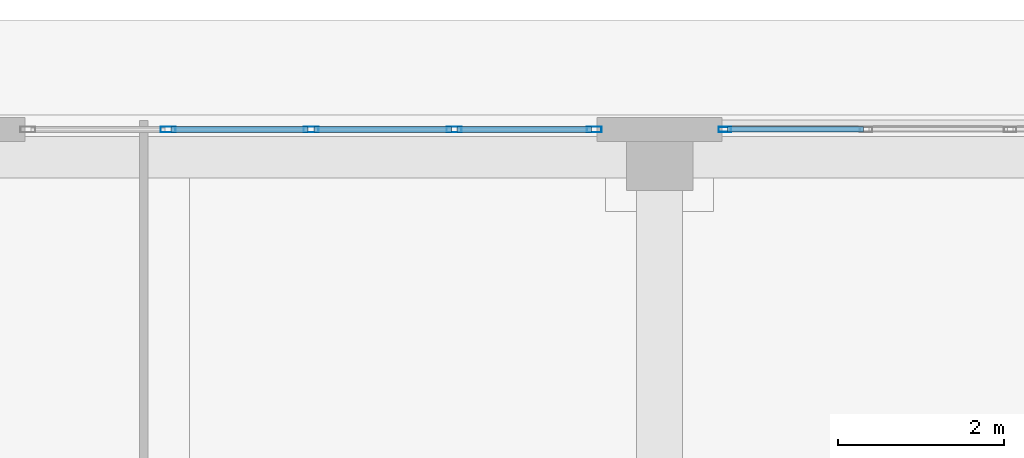
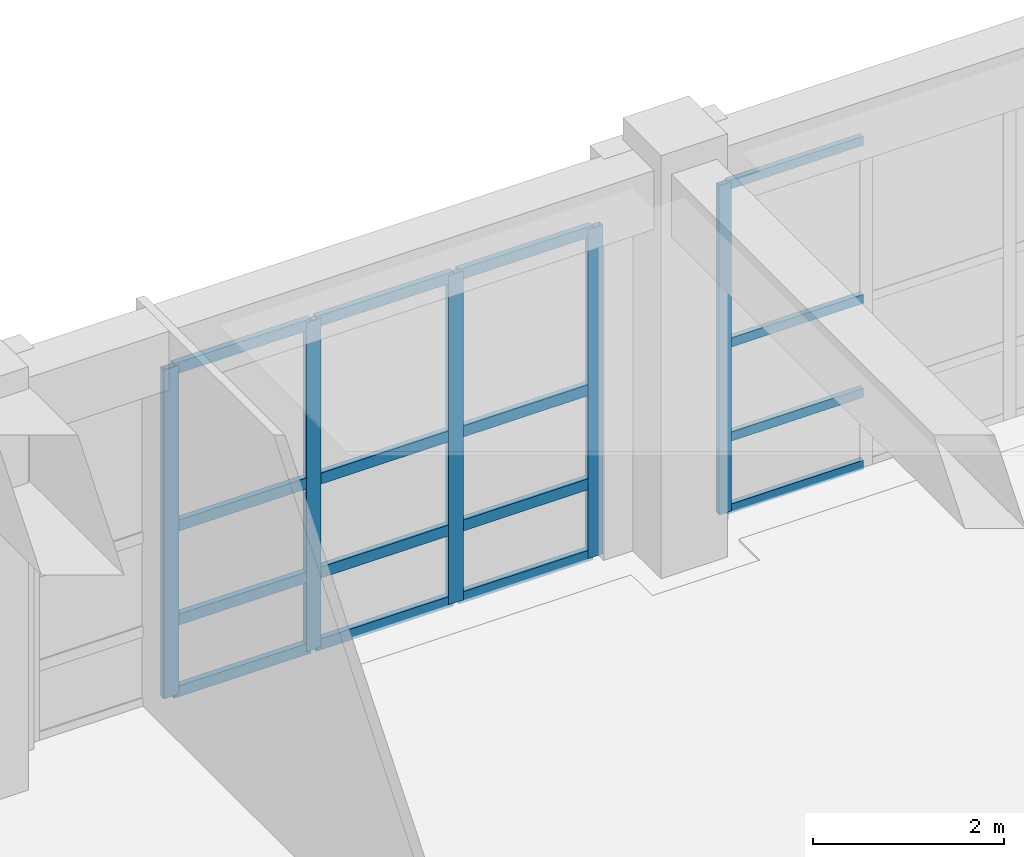
# One storey, part 103 of 148: 21 members, 2 elements without a shape of their own.
"""IFC4 building model written with IfcOpenShell, lengths in metres."""

from ifc_helpers import new_model, si_unit, direction, frame, origin, origin_2d, place, context, subcontext, project, spatial, hollow_rectangle, extrude, material, layer, layer_set, material_profile, profile_set, type_object, element, aggregate, save


model = new_model("IFC4")

# Units and contexts
model_context = context("Model", 3, precision=1e-05, world=origin(), true_north=direction((0.0, 1.0)))
body_context = subcontext(model_context, "Body", "Model", "MODEL_VIEW")
ifc_project = project(units=[si_unit("LENGTHUNIT", "METRE"), si_unit("AREAUNIT", "SQUARE_METRE"), si_unit("VOLUMEUNIT", "CUBIC_METRE"), si_unit("PLANEANGLEUNIT", "RADIAN"), si_unit("MASSUNIT", "GRAM", prefix="KILO")], contexts=[model_context])

# Site, building, storey
site_placement = place(None, origin())
site = spatial("IfcSite", under=ifc_project, at=site_placement, CompositionType="ELEMENT")
building_placement = place(site_placement, origin())
building = spatial("IfcBuilding", under=site, at=building_placement, Name="Quendrovan Civic Courthouse", CompositionType="ELEMENT")
storey_placement = place(building_placement, origin())
storey = spatial("IfcBuildingStorey", under=building, at=storey_placement, Name="L01", CompositionType="ELEMENT", Elevation=0.0)

# Curtain wall, members
ifc_material_1 = material(Name="Bronze anodised aluminium and low-E glass", Category="aluminium")
ifc_layer = layer(ifc_material_1, 0.179931640625, Name="Bronze anodised aluminium and low-E glass")
ifc_layer_set = layer_set([ifc_layer], Name="Bronze anodised aluminium and low-E glass")
curtain_wall_type = type_object("IfcCurtainWallType", Name="CW-U69x42", PredefinedType="USERDEFINED", material=ifc_layer_set)
curtain_wall_1_placement = place(storey_placement, origin())
curtain_wall_1 = element("IfcCurtainWall", 1, at=curtain_wall_1_placement, inside=storey, type_object=curtain_wall_type, Name="L01 Unitised Hurricane Curtain Wall CW-038", ObjectType="UNITISED CURTAIN WALL", PredefinedType="USERDEFINED")
ifc_material_2 = material(Name="Bronze anodised aluminium", Category="aluminium")
ifc_material_profile_1 = material_profile(ifc_material_2, hollow_rectangle(XDim=0.070068359375, YDim=0.179931640625, WallThickness=0.00390625, at=origin_2d()), Name="CW-MULL-70x180")
ifc_profile_set_1 = profile_set([ifc_material_profile_1], Name="Bronze anodised aluminium")
member_type_1 = type_object("IfcMemberType", Name="CW-MULL-A", PredefinedType="MULLION", material=ifc_profile_set_1)
member_1_placement = place(storey_placement, frame((128.49365234375, 110.235107421875, 0.0), z_axis=(0.0, 0.0, 1.0), x_axis=(0.0, 1.0, 0.0)))
member_1 = element("IfcMember", 2, at=member_1_placement, type_object=member_type_1, Name="CW-038 mullion 2", PredefinedType="MULLION", context=body_context, shape_type="SweptSolid", body=[
    extrude(hollow_rectangle(XDim=0.070068359375, YDim=0.179931640625, WallThickness=0.00390625, at=origin_2d()), origin(), (0.0, 0.0, 1.0), 4.199951171875),
])
member_2_placement = place(storey_placement, frame((130.21240234375, 110.235107421875, 0.0), z_axis=(0.0, 0.0, 1.0), x_axis=(0.0, 1.0, 0.0)))
member_2 = element("IfcMember", 3, at=member_2_placement, type_object=member_type_1, Name="CW-038 mullion 3", PredefinedType="MULLION", context=body_context, shape_type="SweptSolid", body=[
    extrude(hollow_rectangle(XDim=0.070068359375, YDim=0.179931640625, WallThickness=0.00390625, at=origin_2d()), origin(), (0.0, 0.0, 1.0), 4.199951171875),
])
member_3_placement = place(storey_placement, frame((131.93115234375, 110.235107421875, 0.0), z_axis=(0.0, 0.0, 1.0), x_axis=(0.0, 1.0, 0.0)))
member_3 = element("IfcMember", 4, at=member_3_placement, type_object=member_type_1, Name="CW-038 mullion 4", PredefinedType="MULLION", context=body_context, shape_type="SweptSolid", body=[
    extrude(hollow_rectangle(XDim=0.070068359375, YDim=0.179931640625, WallThickness=0.00390625, at=origin_2d()), origin(), (0.0, 0.0, 1.0), 4.199951171875),
])
member_4_placement = place(storey_placement, frame((133.614990234375, 110.235107421875, 0.0), z_axis=(0.0, 0.0, 1.0), x_axis=(0.0, 1.0, 0.0)))
member_4 = element("IfcMember", 5, at=member_4_placement, type_object=member_type_1, Name="CW-038 mullion 5", PredefinedType="MULLION", context=body_context, shape_type="SweptSolid", body=[
    extrude(hollow_rectangle(XDim=0.070068359375, YDim=0.179931640625, WallThickness=0.00390625, at=origin_2d()), origin(), (0.0, 0.0, 1.0), 4.199951171875),
])

# Curtain wall, member
curtain_wall_2_placement = place(storey_placement, origin())
curtain_wall_2 = element("IfcCurtainWall", 6, at=curtain_wall_2_placement, inside=storey, type_object=curtain_wall_type, Name="L01 Unitised Hurricane Curtain Wall CW-039", ObjectType="UNITISED CURTAIN WALL", PredefinedType="USERDEFINED")
ifc_material_profile_2 = material_profile(ifc_material_2, hollow_rectangle(XDim=0.06494140625, YDim=0.14990234375, WallThickness=0.00390625, at=origin_2d()), Name="CW-MULL-65x150")
ifc_profile_set_2 = profile_set([ifc_material_profile_2], Name="Bronze anodised aluminium")
member_type_2 = type_object("IfcMemberType", Name="CW-MULL-B", PredefinedType="MULLION", material=ifc_profile_set_2)
member_5_placement = place(storey_placement, frame((135.1826171875, 110.235107421875, 0.0), z_axis=(0.0, 0.0, 1.0), x_axis=(0.0, 1.0, 0.0)))
member_5 = element("IfcMember", 7, at=member_5_placement, type_object=member_type_2, Name="CW-039 mullion 1", PredefinedType="MULLION", context=body_context, shape_type="SweptSolid", body=[
    extrude(hollow_rectangle(XDim=0.06494140625, YDim=0.14990234375, WallThickness=0.00390625, at=origin_2d()), origin(), (0.0, 0.0, 1.0), 4.199951171875),
])

# Member
ifc_material_profile_3 = material_profile(ifc_material_2, hollow_rectangle(XDim=0.070068359375, YDim=0.139892578125, WallThickness=0.00390625, at=origin_2d()), Name="CW-TRAN-70x140")
ifc_profile_set_3 = profile_set([ifc_material_profile_3], Name="Bronze anodised aluminium")
member_type_3 = type_object("IfcMemberType", Name="CW-TRAN-A", PredefinedType="USERDEFINED", material=ifc_profile_set_3)
member_6_placement = place(storey_placement, frame((128.52880859375, 110.235107421875, 0.034912109375), z_axis=(1.0, 0.0, 0.0), x_axis=(0.0, 1.0, 0.0)))
member_6 = element("IfcMember", 8, at=member_6_placement, type_object=member_type_3, Name="CW-038 transom 2.1", ObjectType="TRANSOM", PredefinedType="USERDEFINED", context=body_context, shape_type="SweptSolid", body=[
    extrude(hollow_rectangle(XDim=0.070068359375, YDim=0.139892578125, WallThickness=0.00390625, at=origin_2d()), origin(), (0.0, 0.0, 1.0), 1.648681640625),
])

member_7_placement = place(storey_placement, frame((128.52880859375, 110.235107421875, 0.949951171875), z_axis=(1.0, 0.0, 0.0), x_axis=(0.0, 1.0, 0.0)))
member_7 = element("IfcMember", 9, at=member_7_placement, type_object=member_type_3, Name="CW-038 transom 2.2", ObjectType="TRANSOM", PredefinedType="USERDEFINED", context=body_context, shape_type="SweptSolid", body=[
    extrude(hollow_rectangle(XDim=0.070068359375, YDim=0.139892578125, WallThickness=0.00390625, at=origin_2d()), origin(), (0.0, 0.0, 1.0), 1.648681640625),
])

member_8_placement = place(storey_placement, frame((128.52880859375, 110.235107421875, 2.14990234375), z_axis=(1.0, 0.0, 0.0), x_axis=(0.0, 1.0, 0.0)))
member_8 = element("IfcMember", 10, at=member_8_placement, type_object=member_type_3, Name="CW-038 transom 2.3", ObjectType="TRANSOM", PredefinedType="USERDEFINED", context=body_context, shape_type="SweptSolid", body=[
    extrude(hollow_rectangle(XDim=0.070068359375, YDim=0.139892578125, WallThickness=0.00390625, at=origin_2d()), origin(), (0.0, 0.0, 1.0), 1.648681640625),
])

member_9_placement = place(storey_placement, frame((128.52880859375, 110.235107421875, 4.1650390625), z_axis=(1.0, 0.0, 0.0), x_axis=(0.0, 1.0, 0.0)))
member_9 = element("IfcMember", 11, at=member_9_placement, type_object=member_type_3, Name="CW-038 transom 2.4", ObjectType="TRANSOM", PredefinedType="USERDEFINED", context=body_context, shape_type="SweptSolid", body=[
    extrude(hollow_rectangle(XDim=0.070068359375, YDim=0.139892578125, WallThickness=0.00390625, at=origin_2d()), origin(), (0.0, 0.0, 1.0), 1.648681640625),
])

member_10_placement = place(storey_placement, frame((130.24755859375, 110.235107421875, 0.034912109375), z_axis=(1.0, 0.0, 0.0), x_axis=(0.0, 1.0, 0.0)))
member_10 = element("IfcMember", 12, at=member_10_placement, type_object=member_type_3, Name="CW-038 transom 3.1", ObjectType="TRANSOM", PredefinedType="USERDEFINED", context=body_context, shape_type="SweptSolid", body=[
    extrude(hollow_rectangle(XDim=0.070068359375, YDim=0.139892578125, WallThickness=0.00390625, at=origin_2d()), origin(), (0.0, 0.0, 1.0), 1.648681640625),
])

member_11_placement = place(storey_placement, frame((130.24755859375, 110.235107421875, 0.949951171875), z_axis=(1.0, 0.0, 0.0), x_axis=(0.0, 1.0, 0.0)))
member_11 = element("IfcMember", 13, at=member_11_placement, type_object=member_type_3, Name="CW-038 transom 3.2", ObjectType="TRANSOM", PredefinedType="USERDEFINED", context=body_context, shape_type="SweptSolid", body=[
    extrude(hollow_rectangle(XDim=0.070068359375, YDim=0.139892578125, WallThickness=0.00390625, at=origin_2d()), origin(), (0.0, 0.0, 1.0), 1.648681640625),
])

member_12_placement = place(storey_placement, frame((130.24755859375, 110.235107421875, 2.14990234375), z_axis=(1.0, 0.0, 0.0), x_axis=(0.0, 1.0, 0.0)))
member_12 = element("IfcMember", 14, at=member_12_placement, type_object=member_type_3, Name="CW-038 transom 3.3", ObjectType="TRANSOM", PredefinedType="USERDEFINED", context=body_context, shape_type="SweptSolid", body=[
    extrude(hollow_rectangle(XDim=0.070068359375, YDim=0.139892578125, WallThickness=0.00390625, at=origin_2d()), origin(), (0.0, 0.0, 1.0), 1.648681640625),
])

member_13_placement = place(storey_placement, frame((130.24755859375, 110.235107421875, 4.1650390625), z_axis=(1.0, 0.0, 0.0), x_axis=(0.0, 1.0, 0.0)))
member_13 = element("IfcMember", 15, at=member_13_placement, type_object=member_type_3, Name="CW-038 transom 3.4", ObjectType="TRANSOM", PredefinedType="USERDEFINED", context=body_context, shape_type="SweptSolid", body=[
    extrude(hollow_rectangle(XDim=0.070068359375, YDim=0.139892578125, WallThickness=0.00390625, at=origin_2d()), origin(), (0.0, 0.0, 1.0), 1.648681640625),
])

member_14_placement = place(storey_placement, frame((131.96630859375, 110.235107421875, 0.034912109375), z_axis=(1.0, 0.0, 0.0), x_axis=(0.0, 1.0, 0.0)))
member_14 = element("IfcMember", 16, at=member_14_placement, type_object=member_type_3, Name="CW-038 transom 4.1", ObjectType="TRANSOM", PredefinedType="USERDEFINED", context=body_context, shape_type="SweptSolid", body=[
    extrude(hollow_rectangle(XDim=0.070068359375, YDim=0.139892578125, WallThickness=0.00390625, at=origin_2d()), origin(), (0.0, 0.0, 1.0), 1.61376953125),
])

member_15_placement = place(storey_placement, frame((131.96630859375, 110.235107421875, 0.949951171875), z_axis=(1.0, 0.0, 0.0), x_axis=(0.0, 1.0, 0.0)))
member_15 = element("IfcMember", 17, at=member_15_placement, type_object=member_type_3, Name="CW-038 transom 4.2", ObjectType="TRANSOM", PredefinedType="USERDEFINED", context=body_context, shape_type="SweptSolid", body=[
    extrude(hollow_rectangle(XDim=0.070068359375, YDim=0.139892578125, WallThickness=0.00390625, at=origin_2d()), origin(), (0.0, 0.0, 1.0), 1.61376953125),
])

member_16_placement = place(storey_placement, frame((131.96630859375, 110.235107421875, 2.14990234375), z_axis=(1.0, 0.0, 0.0), x_axis=(0.0, 1.0, 0.0)))
member_16 = element("IfcMember", 18, at=member_16_placement, type_object=member_type_3, Name="CW-038 transom 4.3", ObjectType="TRANSOM", PredefinedType="USERDEFINED", context=body_context, shape_type="SweptSolid", body=[
    extrude(hollow_rectangle(XDim=0.070068359375, YDim=0.139892578125, WallThickness=0.00390625, at=origin_2d()), origin(), (0.0, 0.0, 1.0), 1.61376953125),
])

member_17_placement = place(storey_placement, frame((131.96630859375, 110.235107421875, 4.1650390625), z_axis=(1.0, 0.0, 0.0), x_axis=(0.0, 1.0, 0.0)))
member_17 = element("IfcMember", 19, at=member_17_placement, type_object=member_type_3, Name="CW-038 transom 4.4", ObjectType="TRANSOM", PredefinedType="USERDEFINED", context=body_context, shape_type="SweptSolid", body=[
    extrude(hollow_rectangle(XDim=0.070068359375, YDim=0.139892578125, WallThickness=0.00390625, at=origin_2d()), origin(), (0.0, 0.0, 1.0), 1.61376953125),
])

aggregate(curtain_wall_1, [member_1, member_2, member_3, member_4, member_6, member_7, member_8, member_9, member_10, member_11, member_12, member_13, member_14, member_15, member_16, member_17])

ifc_material_profile_4 = material_profile(ifc_material_2, hollow_rectangle(XDim=0.06494140625, YDim=0.114990234375, WallThickness=0.00390625, at=origin_2d()), Name="CW-TRAN-65x115")
ifc_profile_set_4 = profile_set([ifc_material_profile_4], Name="Bronze anodised aluminium")
member_type_4 = type_object("IfcMemberType", Name="CW-TRAN-B", PredefinedType="USERDEFINED", material=ifc_profile_set_4)
member_18_placement = place(storey_placement, frame((135.215087890625, 110.235107421875, 0.032470703125), z_axis=(1.0, 0.0, 0.0), x_axis=(0.0, 1.0, 0.0)))
member_18 = element("IfcMember", 20, at=member_18_placement, type_object=member_type_4, Name="CW-039 transom 1.1", ObjectType="TRANSOM", PredefinedType="USERDEFINED", context=body_context, shape_type="SweptSolid", body=[
    extrude(hollow_rectangle(XDim=0.06494140625, YDim=0.114990234375, WallThickness=0.00390625, at=origin_2d()), origin(), (0.0, 0.0, 1.0), 1.633544921875),
])

member_19_placement = place(storey_placement, frame((135.215087890625, 110.235107421875, 0.949951171875), z_axis=(1.0, 0.0, 0.0), x_axis=(0.0, 1.0, 0.0)))
member_19 = element("IfcMember", 21, at=member_19_placement, type_object=member_type_4, Name="CW-039 transom 1.2", ObjectType="TRANSOM", PredefinedType="USERDEFINED", context=body_context, shape_type="SweptSolid", body=[
    extrude(hollow_rectangle(XDim=0.06494140625, YDim=0.114990234375, WallThickness=0.00390625, at=origin_2d()), origin(), (0.0, 0.0, 1.0), 1.633544921875),
])

member_20_placement = place(storey_placement, frame((135.215087890625, 110.235107421875, 2.14990234375), z_axis=(1.0, 0.0, 0.0), x_axis=(0.0, 1.0, 0.0)))
member_20 = element("IfcMember", 22, at=member_20_placement, type_object=member_type_4, Name="CW-039 transom 1.3", ObjectType="TRANSOM", PredefinedType="USERDEFINED", context=body_context, shape_type="SweptSolid", body=[
    extrude(hollow_rectangle(XDim=0.06494140625, YDim=0.114990234375, WallThickness=0.00390625, at=origin_2d()), origin(), (0.0, 0.0, 1.0), 1.633544921875),
])

member_21_placement = place(storey_placement, frame((135.215087890625, 110.235107421875, 4.16748046875), z_axis=(1.0, 0.0, 0.0), x_axis=(0.0, 1.0, 0.0)))
member_21 = element("IfcMember", 23, at=member_21_placement, type_object=member_type_4, Name="CW-039 transom 1.4", ObjectType="TRANSOM", PredefinedType="USERDEFINED", context=body_context, shape_type="SweptSolid", body=[
    extrude(hollow_rectangle(XDim=0.06494140625, YDim=0.114990234375, WallThickness=0.00390625, at=origin_2d()), origin(), (0.0, 0.0, 1.0), 1.633544921875),
])

aggregate(curtain_wall_2, [member_5, member_18, member_19, member_20, member_21])

save(model, "model.ifc")
